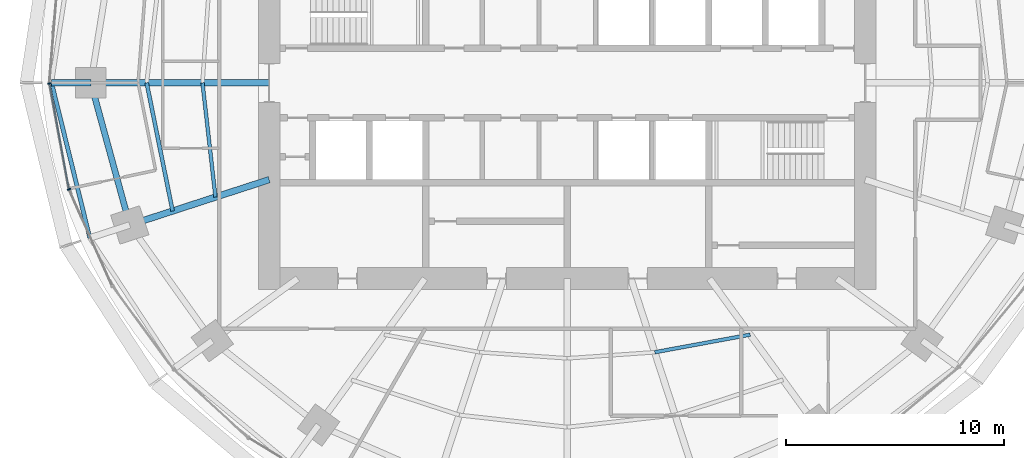
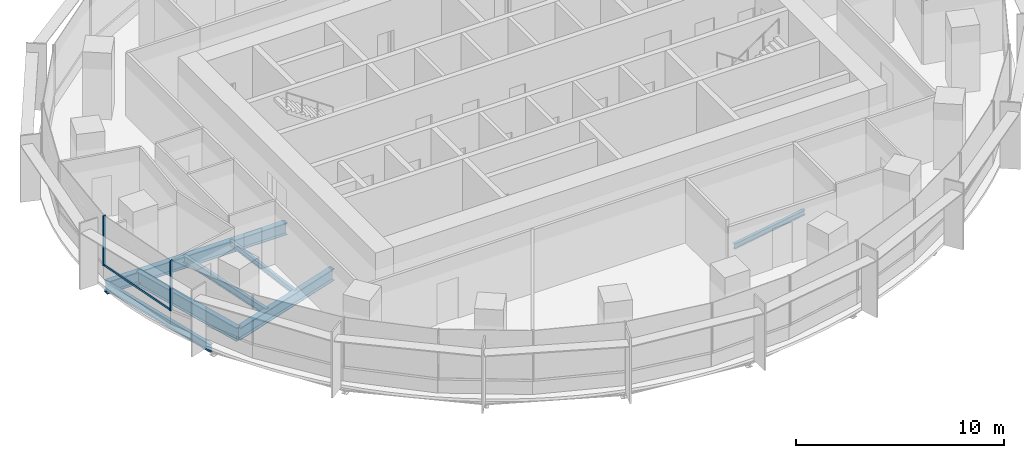
# One storey, part 3 of 14: 8 beams, 3 members, 1 element without a shape of its own.
"""IFC4 building model written with IfcOpenShell, lengths in metres."""

import ifcopenshell
import ifcopenshell.guid

model = None  # the IFC model being written
_history = None  # IfcOwnerHistory: only IFC2X3 demands one
_inside = {}  # id of a spatial element -> (the spatial element, [elements in it])
_under = {}  # id of a project, library or spatial element -> (it, [spatial elements below it])
_declared = {}  # id of a project -> (the project, [libraries it declares])
_typed = {}  # id of a type object -> (the type object, [elements of that type])
_made_of = {}  # id of a material, layer set ... -> (it, [elements and type objects made of it])


def new_model(schema):
    """Start an empty IFC model of exactly this schema.

    Asked for "IFC4X3", IfcOpenShell would pick the latest addendum, in which some entities
    have other attributes; the version numbers below select the first issue.
    IFC2X3 requires an IfcOwnerHistory on every rooted entity: one is made here for all.
    """
    global model, _history
    if schema == "IFC4X3":
        model = ifcopenshell.file(schema_version=(4, 3, 0, 0))
    else:
        model = ifcopenshell.file(schema=schema)
    _inside.clear()
    _under.clear()
    _declared.clear()
    _typed.clear()
    _made_of.clear()
    _history = None
    if model.schema == "IFC2X3":
        org = make("IfcOrganization", Name="unknown")
        user = make(
            "IfcPersonAndOrganization",
            ThePerson=make("IfcPerson", FamilyName="unknown"),
            TheOrganization=org,
        )
        app = make(
            "IfcApplication",
            ApplicationDeveloper=org,
            Version="unknown",
            ApplicationFullName="unknown",
            ApplicationIdentifier="unknown",
        )
        _history = make(
            "IfcOwnerHistory",
            OwningUser=user,
            OwningApplication=app,
            ChangeAction="ADDED",
            CreationDate=0,
        )
    return model


def make(cls, **values):
    """One entity of the class cls with the attributes given. An attribute that is None is left unset."""
    return model.create_entity(
        cls, **{name: value for name, value in values.items() if value is not None}
    )


def rooted(cls, **values):
    """An entity with a GlobalId (a new one), such as an element, a storey or a relation."""
    return make(cls, GlobalId=ifcopenshell.guid.new(), OwnerHistory=_history, **values)


def si_unit(unit_type, name, prefix=None):
    """IfcSIUnit, for example si_unit("LENGTHUNIT", "METRE", prefix="MILLI")."""
    return make("IfcSIUnit", UnitType=unit_type, Prefix=prefix, Name=name)


def assignment(units):
    """IfcUnitAssignment: the units of a project."""
    return None if units is None else make("IfcUnitAssignment", Units=units)


def point(xyz):
    """IfcCartesianPoint."""
    return None if xyz is None else make("IfcCartesianPoint", Coordinates=xyz)


def direction(xyz):
    """IfcDirection."""
    return None if xyz is None else make("IfcDirection", DirectionRatios=xyz)


def frame(location, z_axis=None, x_axis=None):
    """IfcAxis2Placement3D, a coordinate frame: its origin and axes. An axis left out is left unset."""
    return make(
        "IfcAxis2Placement3D",
        Location=point(location),
        Axis=direction(z_axis),
        RefDirection=direction(x_axis),
    )


def frame_2d(location, x_axis=None):
    """IfcAxis2Placement2D, a coordinate frame in the plane: its origin and x axis."""
    return make(
        "IfcAxis2Placement2D", Location=point(location), RefDirection=direction(x_axis)
    )


def origin():
    """The frame at (0, 0, 0) with its axes left unset."""
    return frame((0.0, 0.0, 0.0))


def origin_2d():
    """The frame at (0, 0) in the plane with its x axis left unset."""
    return frame_2d((0.0, 0.0))


def place(relative_to, where):
    """IfcLocalPlacement: puts the frame where relative to a parent placement (None: the world)."""
    return make(
        "IfcLocalPlacement", PlacementRelTo=relative_to, RelativePlacement=where
    )


def context(
    kind, dimensions, precision=None, world=None, true_north=None, identifier=None
):
    """IfcGeometricRepresentationContext, for example the 3D "Model" context."""
    return make(
        "IfcGeometricRepresentationContext",
        ContextIdentifier=identifier,
        ContextType=kind,
        CoordinateSpaceDimension=dimensions,
        Precision=precision,
        WorldCoordinateSystem=world,
        TrueNorth=true_north,
    )


def subcontext(parent, identifier, kind, view, scale=None):
    """IfcGeometricRepresentationSubContext, for example "Body" below "Model"."""
    return make(
        "IfcGeometricRepresentationSubContext",
        ContextIdentifier=identifier,
        ContextType=kind,
        ParentContext=parent,
        TargetScale=scale,
        TargetView=view,
    )


def project(units=None, contexts=None):
    """IfcProject with its units and contexts."""
    return rooted(
        "IfcProject",
        Name="project",
        RepresentationContexts=contexts,
        UnitsInContext=assignment(units),
    )


def spatial(cls, under=None, at=None, **own):
    """A site, building, storey or space (cls), placed at a placement, below another one or the project."""
    s = rooted(cls, ObjectPlacement=at, **own)
    if under is not None:
        _under.setdefault(under.id(), (under, []))[1].append(s)
    return s


def profile(cls, at=None, kind="AREA", **sizes):
    """A parametric profile (cls). Its sizes go by their IFC names, for example OverallWidth=200.0."""
    return make(cls, ProfileType=kind, Position=at, **sizes)


def rectangle(**sizes):
    """IfcRectangleProfileDef."""
    return profile("IfcRectangleProfileDef", **sizes)


def i_section(**sizes):
    """IfcIShapeProfileDef."""
    return profile("IfcIShapeProfileDef", **sizes)


def extrude(swept, where, along, depth):
    """IfcExtrudedAreaSolid: the profile swept, set in the frame where, extruded along a direction by depth."""
    return make(
        "IfcExtrudedAreaSolid",
        SweptArea=swept,
        Position=where,
        ExtrudedDirection=direction(along),
        Depth=depth,
    )


def shape(context_of_items, identifier, shape_type, items):
    """IfcShapeRepresentation: the items that make up one representation, for example the "Body"."""
    return make(
        "IfcShapeRepresentation",
        ContextOfItems=context_of_items,
        RepresentationIdentifier=identifier,
        RepresentationType=shape_type,
        Items=items,
    )


def material(Name=None, Category=None):
    """IfcMaterial."""
    return make("IfcMaterial", Name=Name, Category=Category)


def material_profile(
    of_material, cross_section, Name=None, Category=None, Priority=None
):
    """IfcMaterialProfile: a cross section and its material."""
    return make(
        "IfcMaterialProfile",
        Name=Name,
        Material=of_material,
        Profile=cross_section,
        Priority=Priority,
        Category=Category,
    )


def profile_set(profiles, Name=None, composite=None):
    """IfcMaterialProfileSet."""
    return make(
        "IfcMaterialProfileSet",
        Name=Name,
        MaterialProfiles=profiles,
        CompositeProfile=composite,
    )


def made_of(thing, what):
    """Note that an element or type object is made of a material, layer set ...; save() writes the relation."""
    if what is not None:
        _made_of.setdefault(what.id(), (what, []))[1].append(thing)
    return thing


def type_object(cls, material=None, **own):
    """A type object (cls), such as IfcWallType, which elements share."""
    return made_of(rooted(cls, **own), material)


def element(
    cls,
    number,
    at=None,
    inside=None,
    cuts=None,
    type_object=None,
    material=None,
    context=None,
    identifier="Body",
    shape_type=None,
    held_by="IfcProductDefinitionShape",
    body=None,
    shapes=None,
    **own,
):
    """One element of the class cls, such as IfcWall. Its Tag is "e" and its number.

    at: its placement. inside: the storey or other place that contains it. cuts: it is an
    opening in that element (IfcRelVoidsElement). A single representation is given by context,
    identifier, shape_type and body (its items); several are given by shapes. held_by: the class
    of the entity that holds the representations. save() writes the other relations.
    """
    e = rooted(cls, Tag="e%d" % number, ObjectPlacement=at, **own)
    if body is not None:
        shapes = [shape(context, identifier, shape_type, body)]
    if shapes is not None:
        e.Representation = make(held_by, Representations=shapes)
    if inside is not None:
        _inside.setdefault(inside.id(), (inside, []))[1].append(e)
    if cuts is not None:
        rooted(
            "IfcRelVoidsElement", RelatingBuildingElement=cuts, RelatedOpeningElement=e
        )
    if type_object is not None:
        _typed.setdefault(type_object.id(), (type_object, []))[1].append(e)
    return made_of(e, material)


def aggregate(whole, parts):
    """IfcRelAggregates: a whole, such as a stair, and the parts it consists of."""
    return rooted("IfcRelAggregates", RelatingObject=whole, RelatedObjects=parts)


def save(model, path):
    """Write the relations noted so far, then the file.

    IfcRelAggregates (storeys below a building ...), IfcRelContainedInSpatialStructure (elements
    in a storey), IfcRelDefinesByType, IfcRelAssociatesMaterial and IfcRelDeclares: one each for
    every whole, place, type object, material and project.
    """
    for whole, parts in _under.values():
        aggregate(whole, parts)
    for where, things in _inside.values():
        rooted(
            "IfcRelContainedInSpatialStructure",
            RelatedElements=things,
            RelatingStructure=where,
        )
    for kind, things in _typed.values():
        rooted("IfcRelDefinesByType", RelatedObjects=things, RelatingType=kind)
    for what, things in _made_of.values():
        rooted("IfcRelAssociatesMaterial", RelatedObjects=things, RelatingMaterial=what)
    for by, libraries in _declared.values():
        rooted("IfcRelDeclares", RelatingContext=by, RelatedDefinitions=libraries)
    model.write(path)


model = new_model("IFC4")

# Units and contexts
model_context = context("Model", 3, precision=1e-05, world=origin(), true_north=direction((0.0, 1.0)))
body_context = subcontext(model_context, "Body", "Model", "MODEL_VIEW")
ifc_project = project(units=[si_unit("LENGTHUNIT", "METRE"), si_unit("AREAUNIT", "SQUARE_METRE"), si_unit("VOLUMEUNIT", "CUBIC_METRE"), si_unit("PLANEANGLEUNIT", "RADIAN"), si_unit("MASSUNIT", "GRAM", prefix="KILO")], contexts=[model_context])

# Site, building, storey
site_placement = place(None, origin())
site = spatial("IfcSite", under=ifc_project, at=site_placement, CompositionType="ELEMENT")
building_placement = place(site_placement, origin())
building = spatial("IfcBuilding", under=site, at=building_placement, Name="Marramba Exchange Tower", CompositionType="ELEMENT")
storey_placement = place(building_placement, frame((0.0, 0.0, 179.89990234375)))
storey = spatial("IfcBuildingStorey", under=building, at=storey_placement, Name="L43", CompositionType="ELEMENT", Elevation=179.89990234375)

# Beams
ifc_material_1 = material(Name="Steel AS/NZS 3679.2 grade 300", Category="steel")
ifc_material_profile_1 = material_profile(ifc_material_1, i_section(OverallWidth=0.300048828125, OverallDepth=0.699951171875, WebThickness=0.010009765625, FlangeThickness=0.031982421875, at=origin_2d()), Name="700WB173")
ifc_profile_set_1 = profile_set([ifc_material_profile_1], Name="Steel AS/NZS 3679.2 grade 300")
beam_type_1 = type_object("IfcBeamType", Name="Cantilever girder 700WB173", PredefinedType="BEAM", material=ifc_profile_set_1)
beam_1_placement = place(storey_placement, frame((-21.89990234375, 0.0, -0.510009765625), z_axis=(-1.0, 0.0, 0.0), x_axis=(0.0, -1.0, 0.0)))
element("IfcBeam", 1, at=beam_1_placement, inside=storey, type_object=beam_type_1, Name="Cantilever girder L43 TC11", PredefinedType="BEAM", context=body_context, shape_type="SweptSolid", body=[
    extrude(i_section(OverallWidth=0.300048828125, OverallDepth=0.699951171875, WebThickness=0.010009765625, FlangeThickness=0.031982421875, at=origin_2d()), origin(), (0.0, 0.0, 1.0), 1.80615234375),
])
ifc_material_2 = material(Name="Steel AS/NZS 3679.1 grade 300", Category="steel")
ifc_material_profile_2 = material_profile(ifc_material_2, i_section(OverallWidth=0.166015625, OverallDepth=0.306884765625, WebThickness=0.006591796875, FlangeThickness=0.01171875, FilletRadius=0.011474609375, at=origin_2d()), Name="310UB46.2")
ifc_profile_set_2 = profile_set([ifc_material_profile_2], Name="Steel AS/NZS 3679.1 grade 300")
beam_type_2 = type_object("IfcBeamType", Name="Floor joist 310UB46.2", PredefinedType="JOIST", material=ifc_profile_set_2)
beam_2_placement = place(storey_placement, frame((-16.7666015625, 0.0, -0.3134765625), z_axis=(0.112888968594, -0.993607609054, 0.0), x_axis=(0.993607609054, 0.112888968594, 0.0)))
element("IfcBeam", 2, at=beam_2_placement, inside=storey, type_object=beam_type_2, Name="Joist L43 bay 11 row 1", PredefinedType="JOIST", context=body_context, shape_type="SweptSolid", body=[
    extrude(i_section(OverallWidth=0.166015625, OverallDepth=0.306884765625, WebThickness=0.006591796875, FlangeThickness=0.01171875, FilletRadius=0.011474609375, at=origin_2d()), origin(), (0.0, 0.0, 1.0), 5.28759765625),
])
beam_3_placement = place(storey_placement, frame((4.0244140625, -12.3857421875, -0.3134765625), z_axis=(0.983455754421, 0.181148500119, 0.0), x_axis=(-0.181148500119, 0.983455754421, 0.0)))
element("IfcBeam", 3, at=beam_3_placement, inside=storey, type_object=beam_type_2, Name="Joist L43 bay 17 row 1", PredefinedType="JOIST", context=body_context, shape_type="SweptSolid", body=[
    extrude(i_section(OverallWidth=0.166015625, OverallDepth=0.306884765625, WebThickness=0.006591796875, FlangeThickness=0.01171875, FilletRadius=0.011474609375, at=origin_2d()), origin(), (0.0, 0.0, 1.0), 4.4609375),
])
ifc_material_profile_3 = material_profile(ifc_material_2, i_section(OverallWidth=0.177978515625, OverallDepth=0.406005859375, WebThickness=0.0078125, FlangeThickness=0.0126953125, FilletRadius=0.011474609375, at=origin_2d()), Name="410UB59.7")
ifc_profile_set_3 = profile_set([ifc_material_profile_3], Name="Steel AS/NZS 3679.1 grade 300")
beam_type_3 = type_object("IfcBeamType", Name="Floor joist 410UB59.7", PredefinedType="JOIST", material=ifc_profile_set_3)
beam_4_placement = place(storey_placement, frame((-19.333251953125, 0.0, -0.36279296875), z_axis=(0.198489047047, -0.980103105904, 0.0), x_axis=(0.980103105904, 0.198489047047, 0.0)))
element("IfcBeam", 4, at=beam_4_placement, inside=storey, type_object=beam_type_3, Name="Joist L43 bay 11 row 2", PredefinedType="JOIST", context=body_context, shape_type="SweptSolid", body=[
    extrude(i_section(OverallWidth=0.177978515625, OverallDepth=0.406005859375, WebThickness=0.0078125, FlangeThickness=0.0126953125, FilletRadius=0.011474609375, at=origin_2d()), origin(), (0.0, 0.0, 1.0), 6.013427734375),
])

# Curtain wall, members
ifc_material_3 = material(Name="Aluminium framing, bronze anodised", Category="aluminium")
curtain_wall_type = type_object("IfcCurtainWallType", Name="Office ribbon curtain wall", PredefinedType="USERDEFINED", material=ifc_material_3)
curtain_wall_placement = place(storey_placement, origin())
curtain_wall = element("IfcCurtainWall", 5, at=curtain_wall_placement, inside=storey, type_object=curtain_wall_type, Name="Curtain wall CW4 L43 F16-F20", ObjectType="RIBBON CURTAIN WALL", PredefinedType="USERDEFINED")
ifc_material_4 = material(Name="Aluminium mullion, bronze anodised", Category="aluminium")
ifc_material_profile_4 = material_profile(ifc_material_4, rectangle(XDim=0.159912109375, YDim=0.06005859375, at=origin_2d()), Name="CW4 mullion 60x160")
ifc_profile_set_4 = profile_set([ifc_material_profile_4], Name="Aluminium mullion, bronze anodised")
member_type_1 = type_object("IfcMemberType", Name="Office ribbon curtain wall mullion", PredefinedType="MULLION", material=ifc_profile_set_4)
member_1_placement = place(storey_placement, frame((-23.800537109375, -0.029541015625, 0.800048828125), z_axis=(0.0, 0.0, 1.0), x_axis=(0.983606636184, 0.180327438996, 0.0)))
member_1 = element("IfcMember", 6, at=member_1_placement, type_object=member_type_1, Name="CW4 mullion 1", PredefinedType="MULLION", context=body_context, shape_type="SweptSolid", body=[
    extrude(rectangle(XDim=0.159912109375, YDim=0.06005859375, at=origin_2d()), origin(), (0.0, 0.0, 1.0), 2.93994140625),
])
member_2_placement = place(storey_placement, frame((-22.90087890625, -4.897705078125, 0.800048828125), z_axis=(0.0, 0.0, 1.0), x_axis=(0.913179510401, 0.407557580942, 0.0)))
member_2 = element("IfcMember", 7, at=member_2_placement, type_object=member_type_1, Name="CW4 mullion 1", PredefinedType="MULLION", context=body_context, shape_type="SweptSolid", body=[
    extrude(rectangle(XDim=0.159912109375, YDim=0.06005859375, at=origin_2d()), origin(), (0.0, 0.0, 1.0), 2.93994140625),
])
ifc_material_5 = material(Name="Aluminium transom, bronze anodised", Category="aluminium")
ifc_material_profile_5 = material_profile(ifc_material_5, rectangle(XDim=0.06005859375, YDim=0.1201171875, at=origin_2d()), Name="CW4 transom 60x120")
ifc_profile_set_5 = profile_set([ifc_material_profile_5], Name="Aluminium transom, bronze anodised")
member_type_2 = type_object("IfcMemberType", Name="Office ribbon curtain wall transom", PredefinedType="USERDEFINED", material=ifc_profile_set_5)
member_3_placement = place(storey_placement, frame((-23.795166015625, -0.05908203125, 0.830078125), z_axis=(0.180330283276, -0.98360611473, 0.0), x_axis=(0.98360611473, 0.180330283276, 0.0)))
member_3 = element("IfcMember", 8, at=member_3_placement, type_object=member_type_2, Name="CW4 sill transom", ObjectType="TRANSOM", PredefinedType="USERDEFINED", context=body_context, shape_type="SweptSolid", body=[
    extrude(rectangle(XDim=0.06005859375, YDim=0.1201171875, at=origin_2d()), origin(), (0.0, 0.0, 1.0), 4.891357421875),
])
aggregate(curtain_wall, [member_1, member_3, member_2])

# Beams
ifc_material_profile_6 = material_profile(ifc_material_1, i_section(OverallWidth=0.300048828125, OverallDepth=0.699951171875, WebThickness=0.010009765625, FlangeThickness=0.031982421875, at=origin_2d()), Name="700WB173")
ifc_profile_set_6 = profile_set([ifc_material_profile_6], Name="Steel AS/NZS 3679.2 grade 300")
beam_type_4 = type_object("IfcBeamType", Name="Radial girder 700WB173", PredefinedType="BEAM", material=ifc_profile_set_6)
beam_5_placement = place(storey_placement, frame((-13.699951171875, 0.0, -0.510009765625), z_axis=(-1.0, 0.0, 0.0), x_axis=(0.0, -1.0, 0.0)))
element("IfcBeam", 9, at=beam_5_placement, inside=storey, type_object=beam_type_4, Name="Radial girder L43 TC11", PredefinedType="BEAM", context=body_context, shape_type="SweptSolid", body=[
    extrude(i_section(OverallWidth=0.300048828125, OverallDepth=0.699951171875, WebThickness=0.010009765625, FlangeThickness=0.031982421875, at=origin_2d()), origin(), (0.0, 0.0, 1.0), 8.199951171875),
])
beam_6_placement = place(storey_placement, frame((-13.699951171875, -4.451416015625, -0.510009765625), z_axis=(-0.951057759669, -0.309013167637, 0.0), x_axis=(0.309013167637, -0.951057759669, 0.0)))
element("IfcBeam", 10, at=beam_6_placement, inside=storey, type_object=beam_type_4, Name="Radial girder L43 TC12", PredefinedType="BEAM", context=body_context, shape_type="SweptSolid", body=[
    extrude(i_section(OverallWidth=0.300048828125, OverallDepth=0.699951171875, WebThickness=0.010009765625, FlangeThickness=0.031982421875, at=origin_2d()), origin(), (0.0, 0.0, 1.0), 6.7392578125),
])
ifc_material_profile_7 = material_profile(ifc_material_1, i_section(OverallWidth=0.27490234375, OverallDepth=0.800048828125, WebThickness=0.010009765625, FlangeThickness=0.02490234375, at=origin_2d()), Name="800WB168")
ifc_profile_set_7 = profile_set([ifc_material_profile_7], Name="Steel AS/NZS 3679.2 grade 300")
beam_type_5 = type_object("IfcBeamType", Name="Ring beam 800WB168", PredefinedType="SPANDREL", material=ifc_profile_set_7)
beam_7_placement = place(storey_placement, frame((-21.89990234375, 0.0, -0.559814453125), z_axis=(0.264291166956, -0.964442937176, 0.0), x_axis=(0.964442937176, 0.264291166956, 0.0)))
element("IfcBeam", 11, at=beam_7_placement, inside=storey, type_object=beam_type_5, Name="Ring beam L43 TC11-TC12", PredefinedType="SPANDREL", context=body_context, shape_type="SweptSolid", body=[
    extrude(i_section(OverallWidth=0.27490234375, OverallDepth=0.800048828125, WebThickness=0.010009765625, FlangeThickness=0.02490234375, at=origin_2d()), origin(), (0.0, 0.0, 1.0), 6.77490234375),
])
ifc_material_profile_8 = material_profile(ifc_material_2, i_section(OverallWidth=0.19091796875, OverallDepth=0.4599609375, WebThickness=0.010009765625, FlangeThickness=0.01611328125, FilletRadius=0.011474609375, at=origin_2d()), Name="460UB82.1")
ifc_profile_set_8 = profile_set([ifc_material_profile_8], Name="Steel AS/NZS 3679.1 grade 300")
beam_type_6 = type_object("IfcBeamType", Name="Slab edge beam 460UB82.1", PredefinedType="SPANDREL", material=ifc_profile_set_8)
beam_8_placement = place(storey_placement, frame((-23.7060546875, 0.0, -0.389892578125), z_axis=(0.23973454413, -0.970838476963, 0.0), x_axis=(0.970838476963, 0.23973454413, 0.0)))
element("IfcBeam", 12, at=beam_8_placement, inside=storey, type_object=beam_type_6, Name="Slab edge beam L43 TC11-TC12", PredefinedType="SPANDREL", context=body_context, shape_type="SweptSolid", body=[
    extrude(i_section(OverallWidth=0.19091796875, OverallDepth=0.4599609375, WebThickness=0.010009765625, FlangeThickness=0.01611328125, FilletRadius=0.011474609375, at=origin_2d()), origin(), (0.0, 0.0, 1.0), 7.344482421875),
])

save(model, "model.ifc")
